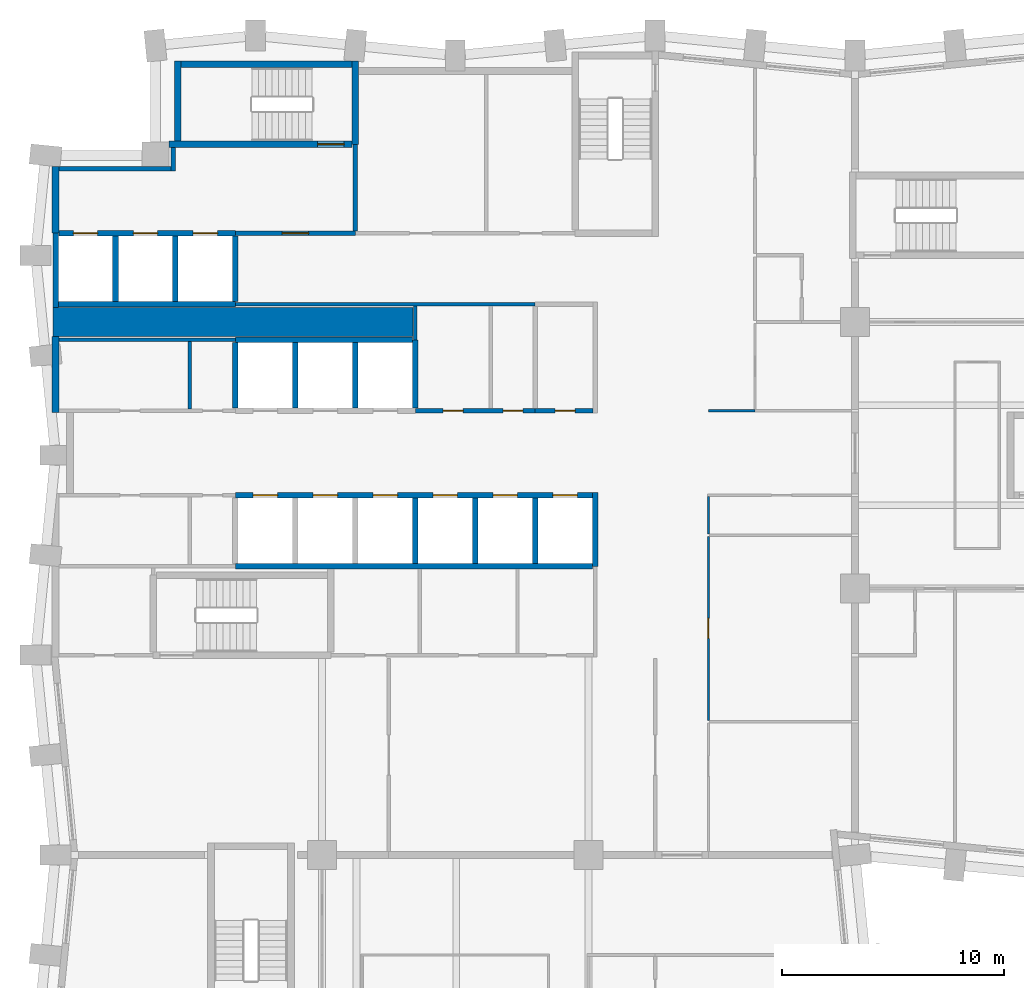
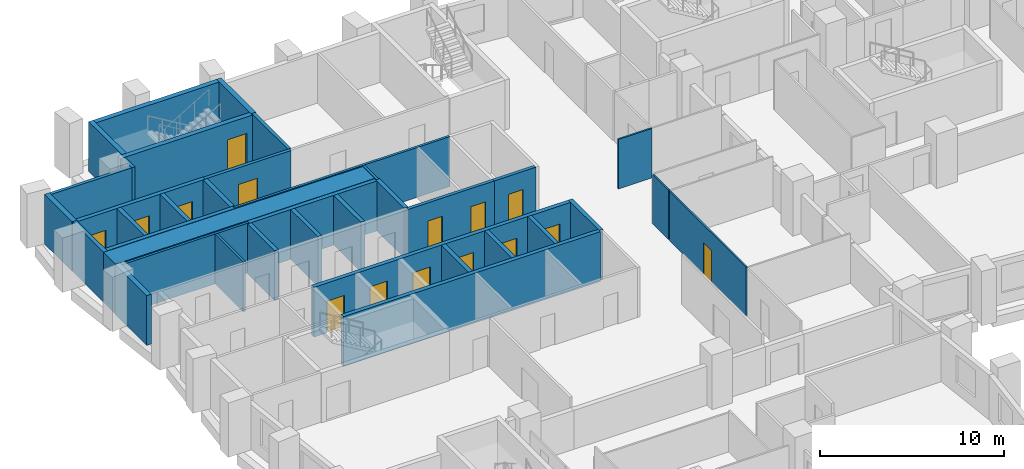
# One storey, part 6 of 12: 37 walls, 15 doors, 15 openings.
"""IFC4 building model written with IfcOpenShell, lengths in metres."""

from ifc_helpers import new_model, si_unit, direction, frame, frame_2d, origin, place, context, subcontext, project, spatial, rectangle, extrude, material, layer, layer_set, type_object, element, fill, save


model = new_model("IFC4")

# Units and contexts
model_context = context("Model", 3, precision=1e-05, world=origin(), true_north=direction((0.0, 1.0)))
body_context = subcontext(model_context, "Body", "Model", "MODEL_VIEW")
ifc_project = project(units=[si_unit("LENGTHUNIT", "METRE"), si_unit("AREAUNIT", "SQUARE_METRE"), si_unit("VOLUMEUNIT", "CUBIC_METRE"), si_unit("PLANEANGLEUNIT", "RADIAN"), si_unit("MASSUNIT", "GRAM", prefix="KILO")], contexts=[model_context])

# Site, building, storey
site_placement = place(None, origin())
site = spatial("IfcSite", under=ifc_project, at=site_placement, CompositionType="ELEMENT")
building_placement = place(site_placement, origin())
building = spatial("IfcBuilding", under=site, at=building_placement, Name="Brondeck Convention Tower", CompositionType="ELEMENT")
storey_placement = place(building_placement, frame((0.0, 0.0, 66.300048828125)))
storey = spatial("IfcBuildingStorey", under=building, at=storey_placement, Name="L14", CompositionType="ELEMENT", Elevation=66.300048828125)

# Walls
ifc_material_1 = material(Name="Concrete C80/95", Category="concrete")
ifc_layer_1 = layer(ifc_material_1, 0.300048828125)
ifc_layer_set_1 = layer_set([ifc_layer_1], Name="Core outer wall 300 Concrete C80/95")
wall_type_1 = type_object("IfcWallType", Name="Core outer wall 300 Concrete C80/95", PredefinedType="SHEAR", material=ifc_layer_set_1)
wall_1_placement = place(storey_placement, frame((0.0, 46.925048828125, 0.0), z_axis=(0.0, 0.0, 1.0), x_axis=(0.0, 1.0, 0.0)))
element("IfcWall", 1, at=wall_1_placement, inside=storey, type_object=wall_type_1, Name="L14 core wall", PredefinedType="SHEAR", context=body_context, shape_type="SweptSolid", body=[
    extrude(rectangle(XDim=3.425048828125, YDim=0.300048828125, at=frame_2d((1.71240234375, 0.0))), origin(), (0.0, 0.0, 1.0), 3.300048828125),
])
wall_2_placement = place(storey_placement, frame((0.0, 55.0, 0.0), z_axis=(0.0, 0.0, 1.0), x_axis=(0.0, 1.0, 0.0)))
element("IfcWall", 2, at=wall_2_placement, inside=storey, type_object=wall_type_1, Name="L14 core wall", PredefinedType="SHEAR", context=body_context, shape_type="SweptSolid", body=[
    extrude(rectangle(XDim=3.0, YDim=0.300048828125, at=frame_2d((1.5, 0.0))), origin(), (0.0, 0.0, 1.0), 3.300048828125),
])
ifc_material_2 = material(Name="Fire-rated gypsum board partition")
ifc_layer_2 = layer(ifc_material_2, 0.14990234375)
ifc_layer_set_2 = layer_set([ifc_layer_2], Name="Core partition 150 EI 60")
wall_type_2 = type_object("IfcWallType", Name="Core partition 150 EI 60", PredefinedType="PARTITIONING", material=ifc_layer_set_2)
wall_3_placement = place(storey_placement, frame((0.14990234375, 50.199951171875, 0.0), z_axis=(0.0, 0.0, 1.0), x_axis=(1.0, 0.0, 0.0)))
element("IfcWall", 3, at=wall_3_placement, inside=storey, type_object=wall_type_2, Name="L14 core wall", PredefinedType="PARTITIONING", context=body_context, shape_type="SweptSolid", body=[
    extrude(rectangle(XDim=7.9501953125, YDim=0.14990234375, at=frame_2d((3.97509765625, 0.0))), origin(), (0.0, 0.0, 1.0), 3.300048828125),
])
wall_4_placement = place(storey_placement, frame((8.10009765625, 51.800048828125, 0.0), z_axis=(0.0, 0.0, 1.0), x_axis=(1.0, 0.0, 0.0)))
element("IfcWall", 4, at=wall_4_placement, inside=storey, type_object=wall_type_2, Name="L14 core wall", PredefinedType="PARTITIONING", context=body_context, shape_type="SweptSolid", body=[
    extrude(rectangle(XDim=13.5, YDim=0.14990234375, at=frame_2d((6.75, 0.0))), origin(), (0.0, 0.0, 1.0), 3.300048828125),
])
wall_5_placement = place(storey_placement, frame((6.050048828125, 47.074951171875, 0.0), z_axis=(0.0, 0.0, 1.0), x_axis=(0.0, 1.0, 0.0)))
element("IfcWall", 5, at=wall_5_placement, inside=storey, type_object=wall_type_2, Name="L14 core wall", PredefinedType="PARTITIONING", context=body_context, shape_type="SweptSolid", body=[
    extrude(rectangle(XDim=3.050048828125, YDim=0.14990234375, at=frame_2d((1.52490234375, 0.0))), origin(), (0.0, 0.0, 1.0), 3.300048828125),
])
wall_6_placement = place(storey_placement, frame((16.199951171875, 50.199951171875, 0.0), z_axis=(0.0, 0.0, 1.0), x_axis=(0.0, 1.0, 0.0)))
element("IfcWall", 6, at=wall_6_placement, inside=storey, type_object=wall_type_2, Name="L14 core wall", PredefinedType="PARTITIONING", context=body_context, shape_type="SweptSolid", body=[
    extrude(rectangle(XDim=1.525146484375, YDim=0.14990234375, at=frame_2d((0.7626953125, 0.0))), origin(), (0.0, 0.0, 1.0), 3.300048828125),
])
ifc_layer_3 = layer(ifc_material_1, 1.300048828125)
ifc_layer_set_3 = layer_set([ifc_layer_3], Name="Core shear wall 1300 Concrete C80/95")
wall_type_3 = type_object("IfcWallType", Name="Core shear wall 1300 Concrete C80/95", PredefinedType="SHEAR", material=ifc_layer_set_3)
wall_7_placement = place(storey_placement, frame((-0.125, 51.0, 0.0), z_axis=(0.0, 0.0, 1.0), x_axis=(1.0, 0.0, 0.0)))
element("IfcWall", 7, at=wall_7_placement, inside=storey, type_object=wall_type_3, Name="L14 core wall", PredefinedType="SHEAR", context=body_context, shape_type="SweptSolid", body=[
    extrude(rectangle(XDim=16.22509765625, YDim=1.300048828125, at=frame_2d((8.112548828125, 0.0))), origin(), (0.0, 0.0, 1.0), 3.300048828125),
])

# Wall, opening, door
ifc_layer_4 = layer(ifc_material_2, 0.199951171875)
ifc_layer_set_4 = layer_set([ifc_layer_4], Name="Firefighting lobby wall 200 EI 120")
wall_type_4 = type_object("IfcWallType", Name="Firefighting lobby wall 200 EI 120", PredefinedType="PARTITIONING", material=ifc_layer_set_4)
wall_8_placement = place(storey_placement, frame((8.10009765625, 55.0, 0.0), z_axis=(0.0, 0.0, 1.0), x_axis=(1.0, 0.0, 0.0)))
wall_8 = element("IfcWall", 8, at=wall_8_placement, inside=storey, type_object=wall_type_4, Name="L14 core wall", PredefinedType="PARTITIONING", context=body_context, shape_type="SweptSolid", body=[
    extrude(rectangle(XDim=5.39990234375, YDim=0.199951171875, at=frame_2d((2.699951171875, 0.0))), origin(), (0.0, 0.0, 1.0), 3.300048828125),
])
opening_1_placement = place(wall_8_placement, frame((2.10009765625, 0.0, 0.0)))
opening_1 = element("IfcOpeningElement", 9, at=opening_1_placement, cuts=wall_8, Name="Opening C10-01", PredefinedType="OPENING", context=body_context, shape_type="SweptSolid", body=[
    extrude(rectangle(XDim=1.199951171875, YDim=2.199951171875, at=frame_2d((0.60009765625, 1.10009765625))), frame((0.0, 0.10986328125, 0.0), z_axis=(0.0, -1.0, 0.0), x_axis=(1.0, 0.0, 0.0)), (0.0, 0.0, 1.0), 0.219970703125),
])
ifc_material_3 = material(Name="Steel fire door", Category="steel")
door_type_1 = type_object("IfcDoorType", Name="Firefighting lobby door 1200x2200 EI 120", OperationType="NOTDEFINED", PredefinedType="DOOR", material=ifc_material_3)
door_1_placement = place(opening_1_placement, origin())
door_1 = element("IfcDoor", 10, at=door_1_placement, inside=storey, type_object=door_type_1, Name="L14 Firefighting lobby door FFL-1", OperationType="SINGLE_SWING_RIGHT", OverallHeight=2.199951171875, OverallWidth=1.199951171875, PredefinedType="DOOR", context=body_context, shape_type="SweptSolid", body=[
    extrude(rectangle(XDim=1.199951171875, YDim=2.199951171875, at=frame_2d((0.60009765625, 1.10009765625))), frame((0.0, 0.02490234375, 0.0), z_axis=(0.0, -1.0, 0.0), x_axis=(1.0, 0.0, 0.0)), (0.0, 0.0, 1.0), 0.050048828125),
])
fill(opening_1, door_1)

# Walls
wall_9_placement = place(storey_placement, frame((0.14990234375, 57.89990234375, 0.0), z_axis=(0.0, 0.0, 1.0), x_axis=(1.0, 0.0, 0.0)))
element("IfcWall", 11, at=wall_9_placement, inside=storey, type_object=wall_type_4, Name="L14 core wall", PredefinedType="PARTITIONING", context=body_context, shape_type="SweptSolid", body=[
    extrude(rectangle(XDim=5.050048828125, YDim=0.199951171875, at=frame_2d((2.52490234375, 0.0))), origin(), (0.0, 0.0, 1.0), 3.300048828125),
])
wall_10_placement = place(storey_placement, frame((5.300048828125, 57.800048828125, 0.0), z_axis=(0.0, 0.0, 1.0), x_axis=(0.0, 1.0, 0.0)))
element("IfcWall", 12, at=wall_10_placement, inside=storey, type_object=wall_type_4, Name="L14 core wall", PredefinedType="PARTITIONING", context=body_context, shape_type="SweptSolid", body=[
    extrude(rectangle(XDim=1.050048828125, YDim=0.199951171875, at=frame_2d((0.52490234375, 0.0))), origin(), (0.0, 0.0, 1.0), 3.300048828125),
])
wall_11_placement = place(storey_placement, frame((13.5, 55.10009765625, 0.0), z_axis=(0.0, 0.0, 1.0), x_axis=(0.0, 1.0, 0.0)))
element("IfcWall", 13, at=wall_11_placement, inside=storey, type_object=wall_type_4, Name="L14 core wall", PredefinedType="PARTITIONING", context=body_context, shape_type="SweptSolid", body=[
    extrude(rectangle(XDim=3.89990234375, YDim=0.199951171875, at=frame_2d((1.949951171875, 0.0))), origin(), (0.0, 0.0, 1.0), 3.300048828125),
])

# Wall, openings, doors
ifc_layer_5 = layer(ifc_material_2, 0.199951171875)
ifc_layer_set_5 = layer_set([ifc_layer_5], Name="Lift lobby wall 200 EI 60")
wall_type_5 = type_object("IfcWallType", Name="Lift lobby wall 200 EI 60", PredefinedType="PARTITIONING", material=ifc_layer_set_5)
wall_12_placement = place(storey_placement, frame((16.199951171875, 47.0, 0.0), z_axis=(0.0, 0.0, 1.0), x_axis=(1.0, 0.0, 0.0)))
wall_12 = element("IfcWall", 14, at=wall_12_placement, inside=storey, type_object=wall_type_5, Name="L14 core wall", PredefinedType="PARTITIONING", context=body_context, shape_type="SweptSolid", body=[
    extrude(rectangle(XDim=5.400146484375, YDim=0.199951171875, at=frame_2d((2.7001953125, 0.0))), origin(), (0.0, 0.0, 1.0), 3.300048828125),
])
opening_2_placement = place(wall_12_placement, frame((1.25, 0.0, 0.0)))
opening_2 = element("IfcOpeningElement", 15, at=opening_2_placement, cuts=wall_12, Name="Opening C10-09", PredefinedType="OPENING", context=body_context, shape_type="SweptSolid", body=[
    extrude(rectangle(XDim=0.89990234375, YDim=2.10009765625, at=frame_2d((0.449951171875, 1.050048828125))), frame((0.0, 0.10986328125, 0.0), z_axis=(0.0, -1.0, 0.0), x_axis=(1.0, 0.0, 0.0)), (0.0, 0.0, 1.0), 0.219970703125),
])
opening_3_placement = place(wall_12_placement, frame((3.949951171875, 0.0, 0.0)))
opening_3 = element("IfcOpeningElement", 16, at=opening_3_placement, cuts=wall_12, Name="Opening C10-10", PredefinedType="OPENING", context=body_context, shape_type="SweptSolid", body=[
    extrude(rectangle(XDim=0.89990234375, YDim=2.10009765625, at=frame_2d((0.449951171875, 1.050048828125))), frame((0.0, 0.10986328125, 0.0), z_axis=(0.0, -1.0, 0.0), x_axis=(1.0, 0.0, 0.0)), (0.0, 0.0, 1.0), 0.219970703125),
])
door_type_2 = type_object("IfcDoorType", Name="Room door 900x2100 EI 60", OperationType="NOTDEFINED", PredefinedType="DOOR", material=ifc_material_3)
door_2_placement = place(opening_2_placement, origin())
door_2 = element("IfcDoor", 17, at=door_2_placement, inside=storey, type_object=door_type_2, Name="L14 Room door FZ-N-16.2-1", OperationType="SINGLE_SWING_LEFT", OverallHeight=2.10009765625, OverallWidth=0.89990234375, PredefinedType="DOOR", context=body_context, shape_type="SweptSolid", body=[
    extrude(rectangle(XDim=0.89990234375, YDim=2.10009765625, at=frame_2d((0.449951171875, 1.050048828125))), frame((0.0, 0.02490234375, 0.0), z_axis=(0.0, -1.0, 0.0), x_axis=(1.0, 0.0, 0.0)), (0.0, 0.0, 1.0), 0.050048828125),
])
fill(opening_2, door_2)
door_3_placement = place(opening_3_placement, origin())
door_3 = element("IfcDoor", 18, at=door_3_placement, inside=storey, type_object=door_type_2, Name="L14 Room door FZ-N-16.2-2", OperationType="SINGLE_SWING_RIGHT", OverallHeight=2.10009765625, OverallWidth=0.89990234375, PredefinedType="DOOR", context=body_context, shape_type="SweptSolid", body=[
    extrude(rectangle(XDim=0.89990234375, YDim=2.10009765625, at=frame_2d((0.449951171875, 1.050048828125))), frame((0.0, 0.02490234375, 0.0), z_axis=(0.0, -1.0, 0.0), x_axis=(1.0, 0.0, 0.0)), (0.0, 0.0, 1.0), 0.050048828125),
])
fill(opening_3, door_3)

# Wall
ifc_layer_6 = layer(ifc_material_1, 0.25)
ifc_layer_set_6 = layer_set([ifc_layer_6], Name="Lift shaft wall 250 Concrete C80/95")
wall_type_6 = type_object("IfcWallType", Name="Lift shaft wall 250 Concrete C80/95", PredefinedType="SHEAR", material=ifc_layer_set_6)
wall_13_placement = place(storey_placement, frame((8.10009765625, 40.0, 0.0), z_axis=(0.0, 0.0, 1.0), x_axis=(1.0, 0.0, 0.0)))
element("IfcWall", 19, at=wall_13_placement, inside=storey, type_object=wall_type_6, Name="L14 core wall", PredefinedType="SHEAR", context=body_context, shape_type="SweptSolid", body=[
    extrude(rectangle(XDim=16.074951171875, YDim=0.25, at=frame_2d((8.03759765625, 0.0))), origin(), (0.0, 0.0, 1.0), 3.300048828125),
])

# Wall, openings, doors
wall_14_placement = place(storey_placement, frame((8.10009765625, 43.199951171875, 0.0), z_axis=(0.0, 0.0, 1.0), x_axis=(1.0, 0.0, 0.0)))
wall_14 = element("IfcWall", 20, at=wall_14_placement, inside=storey, type_object=wall_type_6, Name="L14 core wall", PredefinedType="SHEAR", context=body_context, shape_type="SweptSolid", body=[
    extrude(rectangle(XDim=16.074951171875, YDim=0.25, at=frame_2d((8.03759765625, 0.0))), origin(), (0.0, 0.0, 1.0), 3.300048828125),
])
opening_4_placement = place(wall_14_placement, frame((14.300048828125, 0.0, 0.0)))
opening_4 = element("IfcOpeningElement", 21, at=opening_4_placement, cuts=wall_14, Name="Opening C10-25", PredefinedType="OPENING", context=body_context, shape_type="SweptSolid", body=[
    extrude(rectangle(XDim=1.10009765625, YDim=2.10009765625, at=frame_2d((0.550048828125, 1.050048828125))), frame((0.0, 0.135009765625, 0.0), z_axis=(0.0, -1.0, 0.0), x_axis=(1.0, 0.0, 0.0)), (0.0, 0.0, 1.0), 0.27001953125),
])
opening_5_placement = place(wall_14_placement, frame((0.800048828125, 0.0, 0.0)))
opening_5 = element("IfcOpeningElement", 22, at=opening_5_placement, cuts=wall_14, Name="Opening C10-26", PredefinedType="OPENING", context=body_context, shape_type="SweptSolid", body=[
    extrude(rectangle(XDim=1.10009765625, YDim=2.10009765625, at=frame_2d((0.550048828125, 1.050048828125))), frame((0.0, 0.135009765625, 0.0), z_axis=(0.0, -1.0, 0.0), x_axis=(1.0, 0.0, 0.0)), (0.0, 0.0, 1.0), 0.27001953125),
])
opening_6_placement = place(wall_14_placement, frame((3.5, 0.0, 0.0)))
opening_6 = element("IfcOpeningElement", 23, at=opening_6_placement, cuts=wall_14, Name="Opening C10-27", PredefinedType="OPENING", context=body_context, shape_type="SweptSolid", body=[
    extrude(rectangle(XDim=1.10009765625, YDim=2.10009765625, at=frame_2d((0.550048828125, 1.050048828125))), frame((0.0, 0.135009765625, 0.0), z_axis=(0.0, -1.0, 0.0), x_axis=(1.0, 0.0, 0.0)), (0.0, 0.0, 1.0), 0.27001953125),
])
opening_7_placement = place(wall_14_placement, frame((6.199951171875, 0.0, 0.0)))
opening_7 = element("IfcOpeningElement", 24, at=opening_7_placement, cuts=wall_14, Name="Opening C10-28", PredefinedType="OPENING", context=body_context, shape_type="SweptSolid", body=[
    extrude(rectangle(XDim=1.10009765625, YDim=2.10009765625, at=frame_2d((0.550048828125, 1.050048828125))), frame((0.0, 0.135009765625, 0.0), z_axis=(0.0, -1.0, 0.0), x_axis=(1.0, 0.0, 0.0)), (0.0, 0.0, 1.0), 0.27001953125),
])
opening_8_placement = place(wall_14_placement, frame((8.89990234375, 0.0, 0.0)))
opening_8 = element("IfcOpeningElement", 25, at=opening_8_placement, cuts=wall_14, Name="Opening C10-32", PredefinedType="OPENING", context=body_context, shape_type="SweptSolid", body=[
    extrude(rectangle(XDim=1.10009765625, YDim=2.10009765625, at=frame_2d((0.550048828125, 1.050048828125))), frame((0.0, 0.135009765625, 0.0), z_axis=(0.0, -1.0, 0.0), x_axis=(1.0, 0.0, 0.0)), (0.0, 0.0, 1.0), 0.27001953125),
])
opening_9_placement = place(wall_14_placement, frame((11.60009765625, 0.0, 0.0)))
opening_9 = element("IfcOpeningElement", 26, at=opening_9_placement, cuts=wall_14, Name="Opening C10-33", PredefinedType="OPENING", context=body_context, shape_type="SweptSolid", body=[
    extrude(rectangle(XDim=1.10009765625, YDim=2.10009765625, at=frame_2d((0.550048828125, 1.050048828125))), frame((0.0, 0.135009765625, 0.0), z_axis=(0.0, -1.0, 0.0), x_axis=(1.0, 0.0, 0.0)), (0.0, 0.0, 1.0), 0.27001953125),
])
ifc_material_4 = material(Name="Stainless steel lift door", Category="steel")
door_type_3 = type_object("IfcDoorType", Name="Lift landing door 1100x2100 EI 180", OperationType="DOUBLE_DOOR_SLIDING", PredefinedType="DOOR", material=ifc_material_4)
door_4_placement = place(opening_4_placement, origin())
door_4 = element("IfcDoor", 27, at=door_4_placement, inside=storey, type_object=door_type_3, Name="L14 Lift landing door HS1", OperationType="DOUBLE_DOOR_SLIDING", OverallHeight=2.10009765625, OverallWidth=1.10009765625, PredefinedType="DOOR", context=body_context, shape_type="SweptSolid", body=[
    extrude(rectangle(XDim=1.10009765625, YDim=2.10009765625, at=frame_2d((0.550048828125, 1.050048828125))), frame((0.0, 0.02490234375, 0.0), z_axis=(0.0, -1.0, 0.0), x_axis=(1.0, 0.0, 0.0)), (0.0, 0.0, 1.0), 0.050048828125),
])
fill(opening_4, door_4)
door_5_placement = place(opening_5_placement, origin())
door_5 = element("IfcDoor", 28, at=door_5_placement, inside=storey, type_object=door_type_3, Name="L14 Lift landing door LR1", OperationType="DOUBLE_DOOR_SLIDING", OverallHeight=2.10009765625, OverallWidth=1.10009765625, PredefinedType="DOOR", context=body_context, shape_type="SweptSolid", body=[
    extrude(rectangle(XDim=1.10009765625, YDim=2.10009765625, at=frame_2d((0.550048828125, 1.050048828125))), frame((0.0, 0.02490234375, 0.0), z_axis=(0.0, -1.0, 0.0), x_axis=(1.0, 0.0, 0.0)), (0.0, 0.0, 1.0), 0.050048828125),
])
fill(opening_5, door_5)
door_6_placement = place(opening_6_placement, origin())
door_6 = element("IfcDoor", 29, at=door_6_placement, inside=storey, type_object=door_type_3, Name="L14 Lift landing door LR2", OperationType="DOUBLE_DOOR_SLIDING", OverallHeight=2.10009765625, OverallWidth=1.10009765625, PredefinedType="DOOR", context=body_context, shape_type="SweptSolid", body=[
    extrude(rectangle(XDim=1.10009765625, YDim=2.10009765625, at=frame_2d((0.550048828125, 1.050048828125))), frame((0.0, 0.02490234375, 0.0), z_axis=(0.0, -1.0, 0.0), x_axis=(1.0, 0.0, 0.0)), (0.0, 0.0, 1.0), 0.050048828125),
])
fill(opening_6, door_6)
door_7_placement = place(opening_7_placement, origin())
door_7 = element("IfcDoor", 30, at=door_7_placement, inside=storey, type_object=door_type_3, Name="L14 Lift landing door LR3", OperationType="DOUBLE_DOOR_SLIDING", OverallHeight=2.10009765625, OverallWidth=1.10009765625, PredefinedType="DOOR", context=body_context, shape_type="SweptSolid", body=[
    extrude(rectangle(XDim=1.10009765625, YDim=2.10009765625, at=frame_2d((0.550048828125, 1.050048828125))), frame((0.0, 0.02490234375, 0.0), z_axis=(0.0, -1.0, 0.0), x_axis=(1.0, 0.0, 0.0)), (0.0, 0.0, 1.0), 0.050048828125),
])
fill(opening_7, door_7)
door_8_placement = place(opening_8_placement, origin())
door_8 = element("IfcDoor", 31, at=door_8_placement, inside=storey, type_object=door_type_3, Name="L14 Lift landing door SH1", OperationType="DOUBLE_DOOR_SLIDING", OverallHeight=2.10009765625, OverallWidth=1.10009765625, PredefinedType="DOOR", context=body_context, shape_type="SweptSolid", body=[
    extrude(rectangle(XDim=1.10009765625, YDim=2.10009765625, at=frame_2d((0.550048828125, 1.050048828125))), frame((0.0, 0.02490234375, 0.0), z_axis=(0.0, -1.0, 0.0), x_axis=(1.0, 0.0, 0.0)), (0.0, 0.0, 1.0), 0.050048828125),
])
fill(opening_8, door_8)
door_9_placement = place(opening_9_placement, origin())
door_9 = element("IfcDoor", 32, at=door_9_placement, inside=storey, type_object=door_type_3, Name="L14 Lift landing door SH2", OperationType="DOUBLE_DOOR_SLIDING", OverallHeight=2.10009765625, OverallWidth=1.10009765625, PredefinedType="DOOR", context=body_context, shape_type="SweptSolid", body=[
    extrude(rectangle(XDim=1.10009765625, YDim=2.10009765625, at=frame_2d((0.550048828125, 1.050048828125))), frame((0.0, 0.02490234375, 0.0), z_axis=(0.0, -1.0, 0.0), x_axis=(1.0, 0.0, 0.0)), (0.0, 0.0, 1.0), 0.050048828125),
])
fill(opening_9, door_9)

# Walls
wall_15_placement = place(storey_placement, frame((8.10009765625, 50.199951171875, 0.0), z_axis=(0.0, 0.0, 1.0), x_axis=(1.0, 0.0, 0.0)))
element("IfcWall", 33, at=wall_15_placement, inside=storey, type_object=wall_type_6, Name="L14 core wall", PredefinedType="SHEAR", context=body_context, shape_type="SweptSolid", body=[
    extrude(rectangle(XDim=7.974853515625, YDim=0.25, at=frame_2d((3.9873046875, 0.0))), origin(), (0.0, 0.0, 1.0), 3.300048828125),
])
wall_16_placement = place(storey_placement, frame((0.125, 51.800048828125, 0.0), z_axis=(0.0, 0.0, 1.0), x_axis=(1.0, 0.0, 0.0)))
element("IfcWall", 34, at=wall_16_placement, inside=storey, type_object=wall_type_6, Name="L14 core wall", PredefinedType="SHEAR", context=body_context, shape_type="SweptSolid", body=[
    extrude(rectangle(XDim=7.97509765625, YDim=0.25, at=frame_2d((3.987548828125, 0.0))), origin(), (0.0, 0.0, 1.0), 3.300048828125),
])

# Wall, openings, doors
wall_17_placement = place(storey_placement, frame((0.14990234375, 55.0, 0.0), z_axis=(0.0, 0.0, 1.0), x_axis=(1.0, 0.0, 0.0)))
wall_17 = element("IfcWall", 35, at=wall_17_placement, inside=storey, type_object=wall_type_6, Name="L14 core wall", PredefinedType="SHEAR", context=body_context, shape_type="SweptSolid", body=[
    extrude(rectangle(XDim=7.9501953125, YDim=0.25, at=frame_2d((3.97509765625, 0.0))), origin(), (0.0, 0.0, 1.0), 3.300048828125),
])
opening_10_placement = place(wall_17_placement, frame((0.64990234375, 0.0, 0.0)))
opening_10 = element("IfcOpeningElement", 36, at=opening_10_placement, cuts=wall_17, Name="Opening C10-22", PredefinedType="OPENING", context=body_context, shape_type="SweptSolid", body=[
    extrude(rectangle(XDim=1.10009765625, YDim=2.10009765625, at=frame_2d((0.550048828125, 1.050048828125))), frame((0.0, 0.135009765625, 0.0), z_axis=(0.0, -1.0, 0.0), x_axis=(1.0, 0.0, 0.0)), (0.0, 0.0, 1.0), 0.27001953125),
])
opening_11_placement = place(wall_17_placement, frame((3.35009765625, 0.0, 0.0)))
opening_11 = element("IfcOpeningElement", 37, at=opening_11_placement, cuts=wall_17, Name="Opening C10-23", PredefinedType="OPENING", context=body_context, shape_type="SweptSolid", body=[
    extrude(rectangle(XDim=1.10009765625, YDim=2.10009765625, at=frame_2d((0.550048828125, 1.050048828125))), frame((0.0, 0.135009765625, 0.0), z_axis=(0.0, -1.0, 0.0), x_axis=(1.0, 0.0, 0.0)), (0.0, 0.0, 1.0), 0.27001953125),
])
opening_12_placement = place(wall_17_placement, frame((6.050048828125, 0.0, 0.0)))
opening_12 = element("IfcOpeningElement", 38, at=opening_12_placement, cuts=wall_17, Name="Opening C10-24", PredefinedType="OPENING", context=body_context, shape_type="SweptSolid", body=[
    extrude(rectangle(XDim=1.10009765625, YDim=2.10009765625, at=frame_2d((0.550048828125, 1.050048828125))), frame((0.0, 0.135009765625, 0.0), z_axis=(0.0, -1.0, 0.0), x_axis=(1.0, 0.0, 0.0)), (0.0, 0.0, 1.0), 0.27001953125),
])
door_10_placement = place(opening_10_placement, origin())
door_10 = element("IfcDoor", 39, at=door_10_placement, inside=storey, type_object=door_type_3, Name="L14 Lift landing door FF1", OperationType="DOUBLE_DOOR_SLIDING", OverallHeight=2.10009765625, OverallWidth=1.10009765625, PredefinedType="DOOR", context=body_context, shape_type="SweptSolid", body=[
    extrude(rectangle(XDim=1.10009765625, YDim=2.10009765625, at=frame_2d((0.550048828125, 1.050048828125))), frame((0.0, 0.02490234375, 0.0), z_axis=(0.0, -1.0, 0.0), x_axis=(1.0, 0.0, 0.0)), (0.0, 0.0, 1.0), 0.050048828125),
])
fill(opening_10, door_10)
door_11_placement = place(opening_11_placement, origin())
door_11 = element("IfcDoor", 40, at=door_11_placement, inside=storey, type_object=door_type_3, Name="L14 Lift landing door FF2", OperationType="DOUBLE_DOOR_SLIDING", OverallHeight=2.10009765625, OverallWidth=1.10009765625, PredefinedType="DOOR", context=body_context, shape_type="SweptSolid", body=[
    extrude(rectangle(XDim=1.10009765625, YDim=2.10009765625, at=frame_2d((0.550048828125, 1.050048828125))), frame((0.0, 0.02490234375, 0.0), z_axis=(0.0, -1.0, 0.0), x_axis=(1.0, 0.0, 0.0)), (0.0, 0.0, 1.0), 0.050048828125),
])
fill(opening_11, door_11)
door_12_placement = place(opening_12_placement, origin())
door_12 = element("IfcDoor", 41, at=door_12_placement, inside=storey, type_object=door_type_3, Name="L14 Lift landing door FF3", OperationType="DOUBLE_DOOR_SLIDING", OverallHeight=2.10009765625, OverallWidth=1.10009765625, PredefinedType="DOOR", context=body_context, shape_type="SweptSolid", body=[
    extrude(rectangle(XDim=1.10009765625, YDim=2.10009765625, at=frame_2d((0.550048828125, 1.050048828125))), frame((0.0, 0.02490234375, 0.0), z_axis=(0.0, -1.0, 0.0), x_axis=(1.0, 0.0, 0.0)), (0.0, 0.0, 1.0), 0.050048828125),
])
fill(opening_12, door_12)

# Walls
wall_18_placement = place(storey_placement, frame((0.0, 51.64990234375, 0.0), z_axis=(0.0, 0.0, 1.0), x_axis=(0.0, 1.0, 0.0)))
element("IfcWall", 42, at=wall_18_placement, inside=storey, type_object=wall_type_6, Name="L14 core wall", PredefinedType="SHEAR", context=body_context, shape_type="SweptSolid", body=[
    extrude(rectangle(XDim=3.35009765625, YDim=0.25, at=frame_2d((1.675048828125, 0.0))), origin(), (0.0, 0.0, 1.0), 3.300048828125),
])
for number, where, z_axis, x_axis, name in (
    (43, (2.699951171875, 51.925048828125, 0.0), (0.0, 0.0, 1.0), (0.0, 1.0, 0.0), "L14 core wall"),
    (44, (5.39990234375, 51.925048828125, 0.0), (0.0, 0.0, 1.0), (0.0, 1.0, 0.0), "L14 core wall"),
    (45, (8.10009765625, 47.125, 0.0), (0.0, 0.0, 1.0), (0.0, 1.0, 0.0), "L14 core wall"),
    (46, (8.10009765625, 51.925048828125, 0.0), (0.0, 0.0, 1.0), (0.0, 1.0, 0.0), "L14 core wall"),
    (47, (10.800048828125, 47.125, 0.0), (0.0, 0.0, 1.0), (0.0, 1.0, 0.0), "L14 core wall"),
    (48, (13.5, 47.125, 0.0), (0.0, 0.0, 1.0), (0.0, 1.0, 0.0), "L14 core wall"),
    (49, (16.199951171875, 40.125, 0.0), (0.0, 0.0, 1.0), (0.0, 1.0, 0.0), "L14 core wall"),
):
    element("IfcWall", number, at=place(storey_placement, frame(where, z_axis=z_axis, x_axis=x_axis)), inside=storey, type_object=wall_type_6, Name=name, PredefinedType="SHEAR", context=body_context, shape_type="SweptSolid", body=[
        extrude(rectangle(XDim=2.949951171875, YDim=0.25, at=frame_2d((1.47509765625, 0.0))), origin(), (0.0, 0.0, 1.0), 3.300048828125),
    ])
wall_19_placement = place(storey_placement, frame((16.199951171875, 47.125, 0.0), z_axis=(0.0, 0.0, 1.0), x_axis=(0.0, 1.0, 0.0)))
element("IfcWall", 50, at=wall_19_placement, inside=storey, type_object=wall_type_6, Name="L14 core wall", PredefinedType="SHEAR", context=body_context, shape_type="SweptSolid", body=[
    extrude(rectangle(XDim=3.074951171875, YDim=0.25, at=frame_2d((1.53759765625, 0.0))), origin(), (0.0, 0.0, 1.0), 3.300048828125),
])
for number, where, z_axis, x_axis, name in (
    (51, (18.89990234375, 40.125, 0.0), (0.0, 0.0, 1.0), (0.0, 1.0, 0.0), "L14 core wall"),
    (52, (21.60009765625, 40.125, 0.0), (0.0, 0.0, 1.0), (0.0, 1.0, 0.0), "L14 core wall"),
):
    element("IfcWall", number, at=place(storey_placement, frame(where, z_axis=z_axis, x_axis=x_axis)), inside=storey, type_object=wall_type_6, Name=name, PredefinedType="SHEAR", context=body_context, shape_type="SweptSolid", body=[
        extrude(rectangle(XDim=2.949951171875, YDim=0.25, at=frame_2d((1.47509765625, 0.0))), origin(), (0.0, 0.0, 1.0), 3.300048828125),
    ])
wall_20_placement = place(storey_placement, frame((24.300048828125, 40.0, 0.0), z_axis=(0.0, 0.0, 1.0), x_axis=(0.0, 1.0, 0.0)))
element("IfcWall", 53, at=wall_20_placement, inside=storey, type_object=wall_type_6, Name="L14 core wall", PredefinedType="SHEAR", context=body_context, shape_type="SweptSolid", body=[
    extrude(rectangle(XDim=3.324951171875, YDim=0.25, at=frame_2d((1.66259765625, 0.0))), origin(), (0.0, 0.0, 1.0), 3.300048828125),
])

# Wall, opening, door
ifc_layer_7 = layer(ifc_material_2, 0.199951171875)
ifc_layer_set_7 = layer_set([ifc_layer_7], Name="Riser wall 200 EI 120")
wall_type_7 = type_object("IfcWallType", Name="Riser wall 200 EI 120", PredefinedType="PARTITIONING", material=ifc_layer_set_7)
wall_21_placement = place(storey_placement, frame((21.60009765625, 47.0, 0.0), z_axis=(0.0, 0.0, 1.0), x_axis=(1.0, 0.0, 0.0)))
wall_21 = element("IfcWall", 54, at=wall_21_placement, inside=storey, type_object=wall_type_7, Name="L14 core wall", PredefinedType="PARTITIONING", context=body_context, shape_type="SweptSolid", body=[
    extrude(rectangle(XDim=2.599853515625, YDim=0.199951171875, at=frame_2d((1.2998046875, 0.0))), origin(), (0.0, 0.0, 1.0), 3.300048828125),
])
opening_13_placement = place(wall_21_placement, frame((0.89990234375, 0.0, 0.0)))
opening_13 = element("IfcOpeningElement", 55, at=opening_13_placement, cuts=wall_21, Name="Opening C10-02", PredefinedType="OPENING", context=body_context, shape_type="SweptSolid", body=[
    extrude(rectangle(XDim=0.89990234375, YDim=2.10009765625, at=frame_2d((0.449951171875, 1.050048828125))), frame((0.0, 0.10986328125, 0.0), z_axis=(0.0, -1.0, 0.0), x_axis=(1.0, 0.0, 0.0)), (0.0, 0.0, 1.0), 0.219970703125),
])
door_type_4 = type_object("IfcDoorType", Name="Riser door 900x2100 EI 120", OperationType="NOTDEFINED", PredefinedType="DOOR", material=ifc_material_3)
door_13_placement = place(opening_13_placement, origin())
door_13 = element("IfcDoor", 56, at=door_13_placement, inside=storey, type_object=door_type_4, Name="L14 Riser door EN-1", OperationType="SINGLE_SWING_LEFT", OverallHeight=2.10009765625, OverallWidth=0.89990234375, PredefinedType="DOOR", context=body_context, shape_type="SweptSolid", body=[
    extrude(rectangle(XDim=0.89990234375, YDim=2.10009765625, at=frame_2d((0.449951171875, 1.050048828125))), frame((0.0, 0.02490234375, 0.0), z_axis=(0.0, -1.0, 0.0), x_axis=(1.0, 0.0, 0.0)), (0.0, 0.0, 1.0), 0.050048828125),
])
fill(opening_13, door_13)

ifc_material_5 = material(Name="Gypsum board partition on steel studs", Category="steel")
ifc_layer_8 = layer(ifc_material_5, 0.10009765625)
ifc_layer_set_8 = layer_set([ifc_layer_8], Name="Room partition 100")
wall_type_8 = type_object("IfcWallType", Name="Room partition 100", PredefinedType="PARTITIONING", material=ifc_layer_set_8)
wall_22_placement = place(storey_placement, frame((29.39990234375, 41.35009765625, 0.0), z_axis=(0.0, 0.0, 1.0), x_axis=(0.0, -1.0, 0.0)))
wall_22 = element("IfcWall", 57, at=wall_22_placement, inside=storey, type_object=wall_type_8, Name="FLR-L14-W078", PredefinedType="PARTITIONING", context=body_context, shape_type="SweptSolid", body=[
    extrude(rectangle(XDim=8.300048828125, YDim=0.10009765625, at=frame_2d((4.14990234375, 0.0))), origin(), (0.0, 0.0, 1.0), 3.280029296875),
])
opening_14_placement = place(wall_22_placement, frame((3.699951171875, 0.0, 0.0)))
opening_14 = element("IfcOpeningElement", 58, at=opening_14_placement, cuts=wall_22, Name="Opening H3-037", PredefinedType="OPENING", context=body_context, shape_type="SweptSolid", body=[
    extrude(rectangle(XDim=0.89990234375, YDim=2.10009765625, at=frame_2d((0.449951171875, 1.050048828125))), frame((0.0, 0.06005859375, 0.0), z_axis=(0.0, -1.0, 0.0), x_axis=(1.0, 0.0, 0.0)), (0.0, 0.0, 1.0), 0.1201171875),
])
ifc_material_6 = material(Name="Solid timber door leaf", Category="wood")
door_type_5 = type_object("IfcDoorType", Name="Single door 900", OperationType="NOTDEFINED", PredefinedType="DOOR", material=ifc_material_6)
door_14_placement = place(opening_14_placement, origin())
door_14 = element("IfcDoor", 59, at=door_14_placement, inside=storey, type_object=door_type_5, Name="Door H3-037", OperationType="SINGLE_SWING_LEFT", OverallHeight=2.10009765625, OverallWidth=0.89990234375, PredefinedType="DOOR", context=body_context, shape_type="SweptSolid", body=[
    extrude(rectangle(XDim=0.89990234375, YDim=2.10009765625, at=frame_2d((0.449951171875, 1.050048828125))), frame((0.0, 0.02490234375, 0.0), z_axis=(0.0, -1.0, 0.0), x_axis=(1.0, 0.0, 0.0)), (0.0, 0.0, 1.0), 0.050048828125),
])
fill(opening_14, door_14)

# Walls
wall_23_placement = place(storey_placement, frame((29.39990234375, 43.14990234375, 0.0), z_axis=(0.0, 0.0, 1.0), x_axis=(0.0, -1.0, 0.0)))
element("IfcWall", 60, at=wall_23_placement, inside=storey, type_object=wall_type_8, Name="FLR-L14-W081", PredefinedType="PARTITIONING", context=body_context, shape_type="SweptSolid", body=[
    extrude(rectangle(XDim=1.699951171875, YDim=0.10009765625, at=frame_2d((0.85009765625, 0.0))), origin(), (0.0, 0.0, 1.0), 3.280029296875),
])
wall_24_placement = place(storey_placement, frame((29.39990234375, 47.0, 0.0), z_axis=(0.0, 0.0, 1.0), x_axis=(1.0, 0.0, 0.0)))
element("IfcWall", 61, at=wall_24_placement, inside=storey, type_object=wall_type_8, Name="FLR-L14-W087", PredefinedType="PARTITIONING", context=body_context, shape_type="SweptSolid", body=[
    extrude(rectangle(XDim=2.10009765625, YDim=0.10009765625, at=frame_2d((1.050048828125, 0.0))), origin(), (0.0, 0.0, 1.0), 3.280029296875),
])

# Wall, opening, door
ifc_layer_9 = layer(ifc_material_1, 0.300048828125)
ifc_layer_set_9 = layer_set([ifc_layer_9], Name="Stair enclosure wall 300 Concrete C80/95")
wall_type_9 = type_object("IfcWallType", Name="Stair enclosure wall 300 Concrete C80/95", PredefinedType="SHEAR", material=ifc_layer_set_9)
wall_25_placement = place(storey_placement, frame((5.10009765625, 59.0, 0.0), z_axis=(0.0, 0.0, 1.0), x_axis=(1.0, 0.0, 0.0)))
wall_25 = element("IfcWall", 62, at=wall_25_placement, inside=storey, type_object=wall_type_9, Name="L14 core wall", PredefinedType="SHEAR", context=body_context, shape_type="SweptSolid", body=[
    extrude(rectangle(XDim=8.25, YDim=0.300048828125, at=frame_2d((4.125, 0.0))), origin(), (0.0, 0.0, 1.0), 3.300048828125),
])
opening_15_placement = place(wall_25_placement, frame((6.699951171875, 0.0, 0.0)))
opening_15 = element("IfcOpeningElement", 63, at=opening_15_placement, cuts=wall_25, Name="Opening C10-17", PredefinedType="OPENING", context=body_context, shape_type="SweptSolid", body=[
    extrude(rectangle(XDim=1.199951171875, YDim=2.199951171875, at=frame_2d((0.60009765625, 1.10009765625))), frame((0.0, 0.159912109375, 0.0), z_axis=(0.0, -1.0, 0.0), x_axis=(1.0, 0.0, 0.0)), (0.0, 0.0, 1.0), 0.320068359375),
])
door_type_6 = type_object("IfcDoorType", Name="Stair door 1200x2200 EI 120", OperationType="NOTDEFINED", PredefinedType="DOOR", material=ifc_material_3)
door_15_placement = place(opening_15_placement, origin())
door_15 = element("IfcDoor", 64, at=door_15_placement, inside=storey, type_object=door_type_6, Name="L14 Stair door ST-3", OperationType="SINGLE_SWING_RIGHT", OverallHeight=2.199951171875, OverallWidth=1.199951171875, PredefinedType="DOOR", context=body_context, shape_type="SweptSolid", body=[
    extrude(rectangle(XDim=1.199951171875, YDim=2.199951171875, at=frame_2d((0.60009765625, 1.10009765625))), frame((0.0, 0.02490234375, 0.0), z_axis=(0.0, -1.0, 0.0), x_axis=(1.0, 0.0, 0.0)), (0.0, 0.0, 1.0), 0.050048828125),
])
fill(opening_15, door_15)

# Walls
wall_26_placement = place(storey_placement, frame((5.64990234375, 62.60009765625, 0.0), z_axis=(0.0, 0.0, 1.0), x_axis=(1.0, 0.0, 0.0)))
element("IfcWall", 65, at=wall_26_placement, inside=storey, type_object=wall_type_9, Name="L14 core wall", PredefinedType="SHEAR", context=body_context, shape_type="SweptSolid", body=[
    extrude(rectangle(XDim=7.7001953125, YDim=0.300048828125, at=frame_2d((3.85009765625, 0.0))), origin(), (0.0, 0.0, 1.0), 3.300048828125),
])
wall_27_placement = place(storey_placement, frame((5.5, 59.14990234375, 0.0), z_axis=(0.0, 0.0, 1.0), x_axis=(0.0, 1.0, 0.0)))
element("IfcWall", 66, at=wall_27_placement, inside=storey, type_object=wall_type_9, Name="L14 core wall", PredefinedType="SHEAR", context=body_context, shape_type="SweptSolid", body=[
    extrude(rectangle(XDim=3.60009765625, YDim=0.300048828125, at=frame_2d((1.800048828125, 0.0))), origin(), (0.0, 0.0, 1.0), 3.300048828125),
])
wall_28_placement = place(storey_placement, frame((13.5, 59.0, 0.0), z_axis=(0.0, 0.0, 1.0), x_axis=(0.0, 1.0, 0.0)))
element("IfcWall", 67, at=wall_28_placement, inside=storey, type_object=wall_type_9, Name="L14 core wall", PredefinedType="SHEAR", context=body_context, shape_type="SweptSolid", body=[
    extrude(rectangle(XDim=3.75, YDim=0.300048828125, at=frame_2d((1.875, 0.0))), origin(), (0.0, 0.0, 1.0), 3.300048828125),
])

save(model, "model.ifc")
